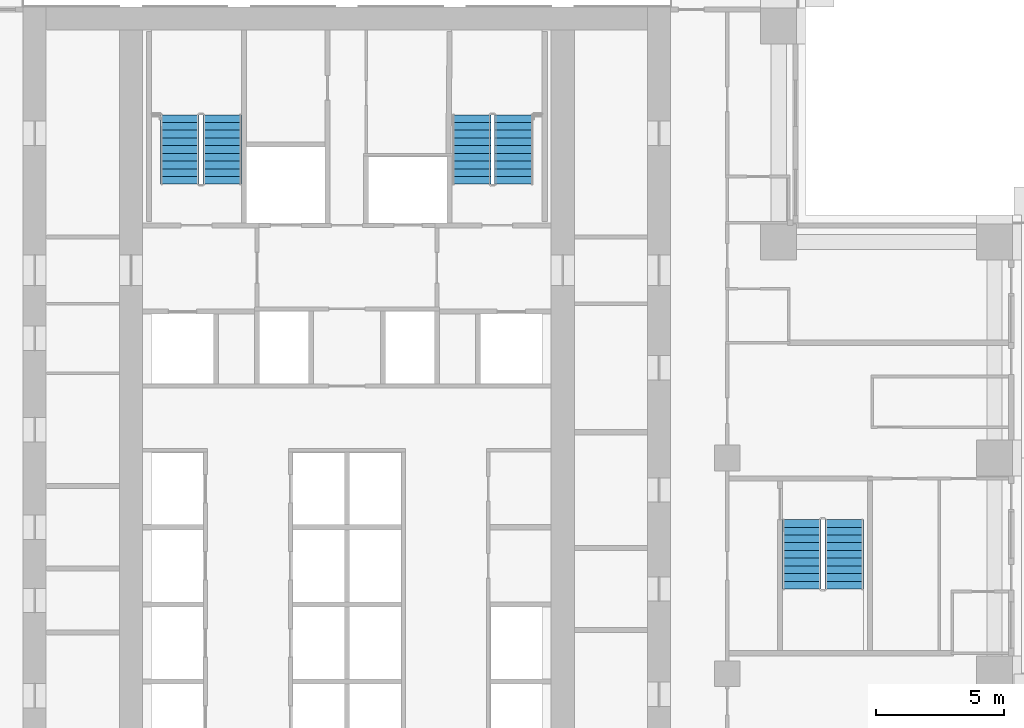
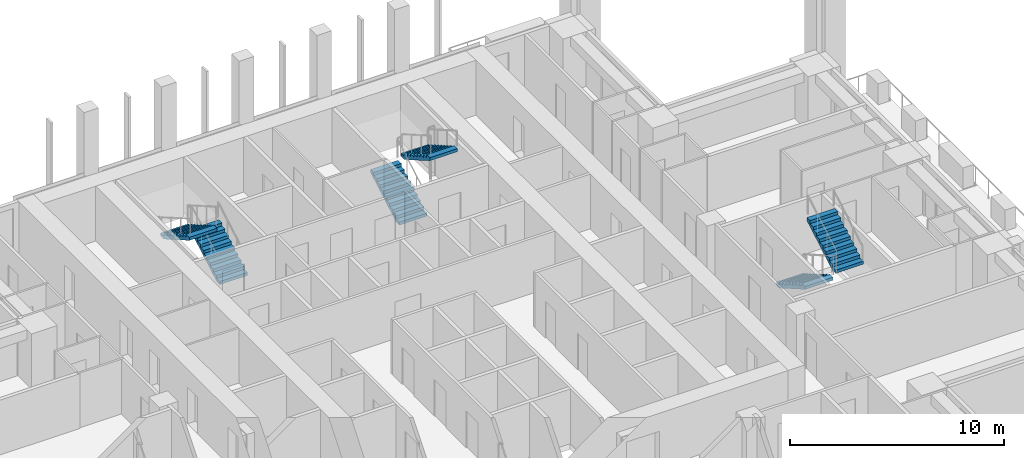
# One storey, part 13 of 18: 6 stair flights, 3 elements without a shape of their own.
"""IFC4 building model written with IfcOpenShell, lengths in metres."""

import ifcopenshell
import ifcopenshell.guid

model = None  # the IFC model being written
_history = None  # IfcOwnerHistory: only IFC2X3 demands one
_inside = {}  # id of a spatial element -> (the spatial element, [elements in it])
_under = {}  # id of a project, library or spatial element -> (it, [spatial elements below it])
_declared = {}  # id of a project -> (the project, [libraries it declares])
_typed = {}  # id of a type object -> (the type object, [elements of that type])
_made_of = {}  # id of a material, layer set ... -> (it, [elements and type objects made of it])


def new_model(schema):
    """Start an empty IFC model of exactly this schema.

    Asked for "IFC4X3", IfcOpenShell would pick the latest addendum, in which some entities
    have other attributes; the version numbers below select the first issue.
    IFC2X3 requires an IfcOwnerHistory on every rooted entity: one is made here for all.
    """
    global model, _history
    if schema == "IFC4X3":
        model = ifcopenshell.file(schema_version=(4, 3, 0, 0))
    else:
        model = ifcopenshell.file(schema=schema)
    _inside.clear()
    _under.clear()
    _declared.clear()
    _typed.clear()
    _made_of.clear()
    _history = None
    if model.schema == "IFC2X3":
        org = make("IfcOrganization", Name="unknown")
        user = make(
            "IfcPersonAndOrganization",
            ThePerson=make("IfcPerson", FamilyName="unknown"),
            TheOrganization=org,
        )
        app = make(
            "IfcApplication",
            ApplicationDeveloper=org,
            Version="unknown",
            ApplicationFullName="unknown",
            ApplicationIdentifier="unknown",
        )
        _history = make(
            "IfcOwnerHistory",
            OwningUser=user,
            OwningApplication=app,
            ChangeAction="ADDED",
            CreationDate=0,
        )
    return model


def make(cls, **values):
    """One entity of the class cls with the attributes given. An attribute that is None is left unset."""
    return model.create_entity(
        cls, **{name: value for name, value in values.items() if value is not None}
    )


def rooted(cls, **values):
    """An entity with a GlobalId (a new one), such as an element, a storey or a relation."""
    return make(cls, GlobalId=ifcopenshell.guid.new(), OwnerHistory=_history, **values)


def si_unit(unit_type, name, prefix=None):
    """IfcSIUnit, for example si_unit("LENGTHUNIT", "METRE", prefix="MILLI")."""
    return make("IfcSIUnit", UnitType=unit_type, Prefix=prefix, Name=name)


def assignment(units):
    """IfcUnitAssignment: the units of a project."""
    return None if units is None else make("IfcUnitAssignment", Units=units)


def point(xyz):
    """IfcCartesianPoint."""
    return None if xyz is None else make("IfcCartesianPoint", Coordinates=xyz)


def direction(xyz):
    """IfcDirection."""
    return None if xyz is None else make("IfcDirection", DirectionRatios=xyz)


def frame(location, z_axis=None, x_axis=None):
    """IfcAxis2Placement3D, a coordinate frame: its origin and axes. An axis left out is left unset."""
    return make(
        "IfcAxis2Placement3D",
        Location=point(location),
        Axis=direction(z_axis),
        RefDirection=direction(x_axis),
    )


def origin():
    """The frame at (0, 0, 0) with its axes left unset."""
    return frame((0.0, 0.0, 0.0))


def place(relative_to, where):
    """IfcLocalPlacement: puts the frame where relative to a parent placement (None: the world)."""
    return make(
        "IfcLocalPlacement", PlacementRelTo=relative_to, RelativePlacement=where
    )


def context(
    kind, dimensions, precision=None, world=None, true_north=None, identifier=None
):
    """IfcGeometricRepresentationContext, for example the 3D "Model" context."""
    return make(
        "IfcGeometricRepresentationContext",
        ContextIdentifier=identifier,
        ContextType=kind,
        CoordinateSpaceDimension=dimensions,
        Precision=precision,
        WorldCoordinateSystem=world,
        TrueNorth=true_north,
    )


def subcontext(parent, identifier, kind, view, scale=None):
    """IfcGeometricRepresentationSubContext, for example "Body" below "Model"."""
    return make(
        "IfcGeometricRepresentationSubContext",
        ContextIdentifier=identifier,
        ContextType=kind,
        ParentContext=parent,
        TargetScale=scale,
        TargetView=view,
    )


def project(units=None, contexts=None):
    """IfcProject with its units and contexts."""
    return rooted(
        "IfcProject",
        Name="project",
        RepresentationContexts=contexts,
        UnitsInContext=assignment(units),
    )


def spatial(cls, under=None, at=None, **own):
    """A site, building, storey or space (cls), placed at a placement, below another one or the project."""
    s = rooted(cls, ObjectPlacement=at, **own)
    if under is not None:
        _under.setdefault(under.id(), (under, []))[1].append(s)
    return s


def polyline(points):
    """IfcPolyline through the points."""
    return make("IfcPolyline", Points=[point(p) for p in points])


def outline(outer, holes=None, kind="AREA"):
    """IfcArbitraryClosedProfileDef: a profile drawn as a closed curve; with holes, ...WithVoids."""
    if holes is None:
        return make("IfcArbitraryClosedProfileDef", ProfileType=kind, OuterCurve=outer)
    return make(
        "IfcArbitraryProfileDefWithVoids",
        ProfileType=kind,
        OuterCurve=outer,
        InnerCurves=holes,
    )


def extrude(swept, where, along, depth):
    """IfcExtrudedAreaSolid: the profile swept, set in the frame where, extruded along a direction by depth."""
    return make(
        "IfcExtrudedAreaSolid",
        SweptArea=swept,
        Position=where,
        ExtrudedDirection=direction(along),
        Depth=depth,
    )


def shape(context_of_items, identifier, shape_type, items):
    """IfcShapeRepresentation: the items that make up one representation, for example the "Body"."""
    return make(
        "IfcShapeRepresentation",
        ContextOfItems=context_of_items,
        RepresentationIdentifier=identifier,
        RepresentationType=shape_type,
        Items=items,
    )


def material(Name=None, Category=None):
    """IfcMaterial."""
    return make("IfcMaterial", Name=Name, Category=Category)


def made_of(thing, what):
    """Note that an element or type object is made of a material, layer set ...; save() writes the relation."""
    if what is not None:
        _made_of.setdefault(what.id(), (what, []))[1].append(thing)
    return thing


def type_object(cls, material=None, **own):
    """A type object (cls), such as IfcWallType, which elements share."""
    return made_of(rooted(cls, **own), material)


def element(
    cls,
    number,
    at=None,
    inside=None,
    cuts=None,
    type_object=None,
    material=None,
    context=None,
    identifier="Body",
    shape_type=None,
    held_by="IfcProductDefinitionShape",
    body=None,
    shapes=None,
    **own,
):
    """One element of the class cls, such as IfcWall. Its Tag is "e" and its number.

    at: its placement. inside: the storey or other place that contains it. cuts: it is an
    opening in that element (IfcRelVoidsElement). A single representation is given by context,
    identifier, shape_type and body (its items); several are given by shapes. held_by: the class
    of the entity that holds the representations. save() writes the other relations.
    """
    e = rooted(cls, Tag="e%d" % number, ObjectPlacement=at, **own)
    if body is not None:
        shapes = [shape(context, identifier, shape_type, body)]
    if shapes is not None:
        e.Representation = make(held_by, Representations=shapes)
    if inside is not None:
        _inside.setdefault(inside.id(), (inside, []))[1].append(e)
    if cuts is not None:
        rooted(
            "IfcRelVoidsElement", RelatingBuildingElement=cuts, RelatedOpeningElement=e
        )
    if type_object is not None:
        _typed.setdefault(type_object.id(), (type_object, []))[1].append(e)
    return made_of(e, material)


def aggregate(whole, parts):
    """IfcRelAggregates: a whole, such as a stair, and the parts it consists of."""
    return rooted("IfcRelAggregates", RelatingObject=whole, RelatedObjects=parts)


def save(model, path):
    """Write the relations noted so far, then the file.

    IfcRelAggregates (storeys below a building ...), IfcRelContainedInSpatialStructure (elements
    in a storey), IfcRelDefinesByType, IfcRelAssociatesMaterial and IfcRelDeclares: one each for
    every whole, place, type object, material and project.
    """
    for whole, parts in _under.values():
        aggregate(whole, parts)
    for where, things in _inside.values():
        rooted(
            "IfcRelContainedInSpatialStructure",
            RelatedElements=things,
            RelatingStructure=where,
        )
    for kind, things in _typed.values():
        rooted("IfcRelDefinesByType", RelatedObjects=things, RelatingType=kind)
    for what, things in _made_of.values():
        rooted("IfcRelAssociatesMaterial", RelatedObjects=things, RelatingMaterial=what)
    for by, libraries in _declared.values():
        rooted("IfcRelDeclares", RelatingContext=by, RelatedDefinitions=libraries)
    model.write(path)


model = new_model("IFC4")

# Units and contexts
model_context = context("Model", 3, precision=1e-05, world=origin(), true_north=direction((0.0, 1.0)))
body_context = subcontext(model_context, "Body", "Model", "MODEL_VIEW")
ifc_project = project(units=[si_unit("LENGTHUNIT", "METRE"), si_unit("AREAUNIT", "SQUARE_METRE"), si_unit("VOLUMEUNIT", "CUBIC_METRE"), si_unit("PLANEANGLEUNIT", "RADIAN"), si_unit("MASSUNIT", "GRAM", prefix="KILO")], contexts=[model_context])

# Site, building, storey
site_placement = place(None, origin())
site = spatial("IfcSite", under=ifc_project, at=site_placement, CompositionType="ELEMENT")
building_placement = place(site_placement, origin())
building = spatial("IfcBuilding", under=site, at=building_placement, Name="Vermilion Ogive Tower", CompositionType="ELEMENT")
storey_placement = place(building_placement, frame((0.0, 0.0, 55.199951171875)))
storey = spatial("IfcBuildingStorey", under=building, at=storey_placement, Name="L12", CompositionType="ELEMENT", Elevation=55.199951171875)

# Stair, stair flights
ifc_material_1 = material(Name="Concrete B40", Category="concrete")
stair_type = type_object("IfcStairType", Name="Exit stair 1500", PredefinedType="HALF_TURN_STAIR", material=ifc_material_1)
stair_1_placement = place(storey_placement, origin())
stair_1 = element("IfcStair", 1, at=stair_1_placement, inside=storey, type_object=stair_type, Name="L12 Exit Stair ST1", PredefinedType="HALF_TURN_STAIR")
ifc_material_2 = material(Name="Concrete B40", Category="concrete")
stair_flight_type = type_object("IfcStairFlightType", Name="Stair flight 1500", PredefinedType="STRAIGHT", material=ifc_material_2)
stair_flight_1_placement = place(storey_placement, frame((-4.85009765625, 14.85009765625, 0.0), z_axis=(0.0, 0.0, 1.0), x_axis=(0.0, 1.0, 0.0)))
stair_flight_1 = element("IfcStairFlight", 2, at=stair_flight_1_placement, type_object=stair_flight_type, Name="ST1 flight 1", NumberOfRisers=10, NumberOfTreads=9, PredefinedType="STRAIGHT", RiserHeight=0.1725, TreadLength=0.3, context=body_context, shape_type="SweptSolid", body=[
    extrude(outline(polyline([(0.0, 0.0), (0.0, 0.172607421875), (0.300048828125, 0.172607421875), (0.300048828125, 0.344970703125), (0.60009765625, 0.344970703125), (0.60009765625, 0.517578125), (0.89990234375, 0.517578125), (0.89990234375, 0.68994140625), (1.199951171875, 0.68994140625), (1.199951171875, 0.862548828125), (1.5, 0.862548828125), (1.5, 1.034912109375), (1.800048828125, 1.034912109375), (1.800048828125, 1.20751953125), (2.10009765625, 1.20751953125), (2.10009765625, 1.3798828125), (2.39990234375, 1.3798828125), (2.39990234375, 1.552490234375), (2.699951171875, 1.552490234375), (2.699951171875, 1.72509765625), (2.699951171875, 1.379638671875), (0.30078125, 0.0), (0.0, 0.0)])), frame((0.0, 0.75, 0.0), z_axis=(0.0, -1.0, 0.0), x_axis=(1.0, 0.0, 0.0)), (0.0, 0.0, 1.0), 1.5),
])
stair_flight_2_placement = place(storey_placement, frame((-6.5, 17.550048828125, 1.72509765625), z_axis=(0.0, 0.0, 1.0), x_axis=(0.0, -1.0, 0.0)))
stair_flight_2 = element("IfcStairFlight", 3, at=stair_flight_2_placement, type_object=stair_flight_type, Name="ST1 flight 2", NumberOfRisers=10, NumberOfTreads=9, PredefinedType="STRAIGHT", RiserHeight=0.1725, TreadLength=0.3, context=body_context, shape_type="SweptSolid", body=[
    extrude(outline(polyline([(0.0, 0.0), (0.0, 0.172607421875), (0.300048828125, 0.172607421875), (0.300048828125, 0.344970703125), (0.60009765625, 0.344970703125), (0.60009765625, 0.517578125), (0.89990234375, 0.517578125), (0.89990234375, 0.68994140625), (1.199951171875, 0.68994140625), (1.199951171875, 0.862548828125), (1.5, 0.862548828125), (1.5, 1.034912109375), (1.800048828125, 1.034912109375), (1.800048828125, 1.20751953125), (2.10009765625, 1.20751953125), (2.10009765625, 1.3798828125), (2.39990234375, 1.3798828125), (2.39990234375, 1.552490234375), (2.699951171875, 1.552490234375), (2.699951171875, 1.72509765625), (2.699951171875, 1.379638671875), (0.30078125, 0.0), (0.0, 0.0)])), frame((0.0, 0.75, 0.0), z_axis=(0.0, -1.0, 0.0), x_axis=(1.0, 0.0, 0.0)), (0.0, 0.0, 1.0), 1.5),
])
aggregate(stair_1, [stair_flight_1, stair_flight_2])

stair_2_placement = place(storey_placement, origin())
stair_2 = element("IfcStair", 4, at=stair_2_placement, inside=storey, type_object=stair_type, Name="L12 Exit Stair ST2", PredefinedType="HALF_TURN_STAIR")
stair_flight_3_placement = place(storey_placement, frame((4.85009765625, 14.85009765625, 0.0), z_axis=(0.0, 0.0, 1.0), x_axis=(0.0, 1.0, 0.0)))
stair_flight_3 = element("IfcStairFlight", 5, at=stair_flight_3_placement, type_object=stair_flight_type, Name="ST2 flight 1", NumberOfRisers=10, NumberOfTreads=9, PredefinedType="STRAIGHT", RiserHeight=0.1725, TreadLength=0.3, context=body_context, shape_type="SweptSolid", body=[
    extrude(outline(polyline([(0.0, 0.0), (0.0, 0.172607421875), (0.300048828125, 0.172607421875), (0.300048828125, 0.344970703125), (0.60009765625, 0.344970703125), (0.60009765625, 0.517578125), (0.89990234375, 0.517578125), (0.89990234375, 0.68994140625), (1.199951171875, 0.68994140625), (1.199951171875, 0.862548828125), (1.5, 0.862548828125), (1.5, 1.034912109375), (1.800048828125, 1.034912109375), (1.800048828125, 1.20751953125), (2.10009765625, 1.20751953125), (2.10009765625, 1.3798828125), (2.39990234375, 1.3798828125), (2.39990234375, 1.552490234375), (2.699951171875, 1.552490234375), (2.699951171875, 1.72509765625), (2.699951171875, 1.379638671875), (0.30078125, 0.0), (0.0, 0.0)])), frame((0.0, 0.75, 0.0), z_axis=(0.0, -1.0, 0.0), x_axis=(1.0, 0.0, 0.0)), (0.0, 0.0, 1.0), 1.5),
])
stair_flight_4_placement = place(storey_placement, frame((6.5, 17.550048828125, 1.72509765625), z_axis=(0.0, 0.0, 1.0), x_axis=(0.0, -1.0, 0.0)))
stair_flight_4 = element("IfcStairFlight", 6, at=stair_flight_4_placement, type_object=stair_flight_type, Name="ST2 flight 2", NumberOfRisers=10, NumberOfTreads=9, PredefinedType="STRAIGHT", RiserHeight=0.1725, TreadLength=0.3, context=body_context, shape_type="SweptSolid", body=[
    extrude(outline(polyline([(0.0, 0.0), (0.0, 0.172607421875), (0.300048828125, 0.172607421875), (0.300048828125, 0.344970703125), (0.60009765625, 0.344970703125), (0.60009765625, 0.517578125), (0.89990234375, 0.517578125), (0.89990234375, 0.68994140625), (1.199951171875, 0.68994140625), (1.199951171875, 0.862548828125), (1.5, 0.862548828125), (1.5, 1.034912109375), (1.800048828125, 1.034912109375), (1.800048828125, 1.20751953125), (2.10009765625, 1.20751953125), (2.10009765625, 1.3798828125), (2.39990234375, 1.3798828125), (2.39990234375, 1.552490234375), (2.699951171875, 1.552490234375), (2.699951171875, 1.72509765625), (2.699951171875, 1.379638671875), (0.30078125, 0.0), (0.0, 0.0)])), frame((0.0, 0.75, 0.0), z_axis=(0.0, -1.0, 0.0), x_axis=(1.0, 0.0, 0.0)), (0.0, 0.0, 1.0), 1.5),
])
aggregate(stair_2, [stair_flight_3, stair_flight_4])

stair_3_placement = place(storey_placement, origin())
stair_3 = element("IfcStair", 7, at=stair_3_placement, inside=storey, type_object=stair_type, Name="L12 Exit Stair ST8", PredefinedType="HALF_TURN_STAIR")
stair_flight_5_placement = place(storey_placement, frame((17.699951171875, 1.800048828125, 0.0), z_axis=(0.0, 0.0, 1.0), x_axis=(0.0, -1.0, 0.0)))
stair_flight_5 = element("IfcStairFlight", 8, at=stair_flight_5_placement, type_object=stair_flight_type, Name="ST8 flight 1", NumberOfRisers=10, NumberOfTreads=9, PredefinedType="STRAIGHT", RiserHeight=0.1725, TreadLength=0.3, context=body_context, shape_type="SweptSolid", body=[
    extrude(outline(polyline([(0.0, 0.0), (0.0, 0.172607421875), (0.300048828125, 0.172607421875), (0.300048828125, 0.344970703125), (0.60009765625, 0.344970703125), (0.60009765625, 0.517578125), (0.89990234375, 0.517578125), (0.89990234375, 0.68994140625), (1.199951171875, 0.68994140625), (1.199951171875, 0.862548828125), (1.5, 0.862548828125), (1.5, 1.034912109375), (1.800048828125, 1.034912109375), (1.800048828125, 1.20751953125), (2.10009765625, 1.20751953125), (2.10009765625, 1.3798828125), (2.39990234375, 1.3798828125), (2.39990234375, 1.552490234375), (2.699951171875, 1.552490234375), (2.699951171875, 1.72509765625), (2.699951171875, 1.379638671875), (0.30078125, 0.0), (0.0, 0.0)])), frame((0.0, 0.75, 0.0), z_axis=(0.0, -1.0, 0.0), x_axis=(1.0, 0.0, 0.0)), (0.0, 0.0, 1.0), 1.5),
])
stair_flight_6_placement = place(storey_placement, frame((19.35009765625, -0.89990234375, 1.72509765625), z_axis=(0.0, 0.0, 1.0), x_axis=(0.0, 1.0, 0.0)))
stair_flight_6 = element("IfcStairFlight", 9, at=stair_flight_6_placement, type_object=stair_flight_type, Name="ST8 flight 2", NumberOfRisers=10, NumberOfTreads=9, PredefinedType="STRAIGHT", RiserHeight=0.1725, TreadLength=0.3, context=body_context, shape_type="SweptSolid", body=[
    extrude(outline(polyline([(0.0, 0.0), (0.0, 0.172607421875), (0.300048828125, 0.172607421875), (0.300048828125, 0.344970703125), (0.60009765625, 0.344970703125), (0.60009765625, 0.517578125), (0.89990234375, 0.517578125), (0.89990234375, 0.68994140625), (1.199951171875, 0.68994140625), (1.199951171875, 0.862548828125), (1.5, 0.862548828125), (1.5, 1.034912109375), (1.800048828125, 1.034912109375), (1.800048828125, 1.20751953125), (2.10009765625, 1.20751953125), (2.10009765625, 1.3798828125), (2.39990234375, 1.3798828125), (2.39990234375, 1.552490234375), (2.699951171875, 1.552490234375), (2.699951171875, 1.72509765625), (2.699951171875, 1.379638671875), (0.30078125, 0.0), (0.0, 0.0)])), frame((0.0, 0.75, 0.0), z_axis=(0.0, -1.0, 0.0), x_axis=(1.0, 0.0, 0.0)), (0.0, 0.0, 1.0), 1.5),
])
aggregate(stair_3, [stair_flight_5, stair_flight_6])

save(model, "model.ifc")
